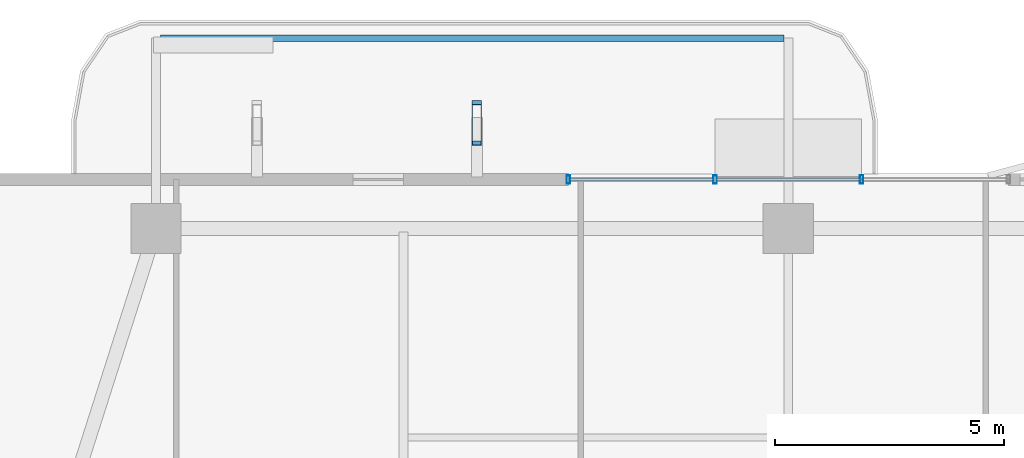
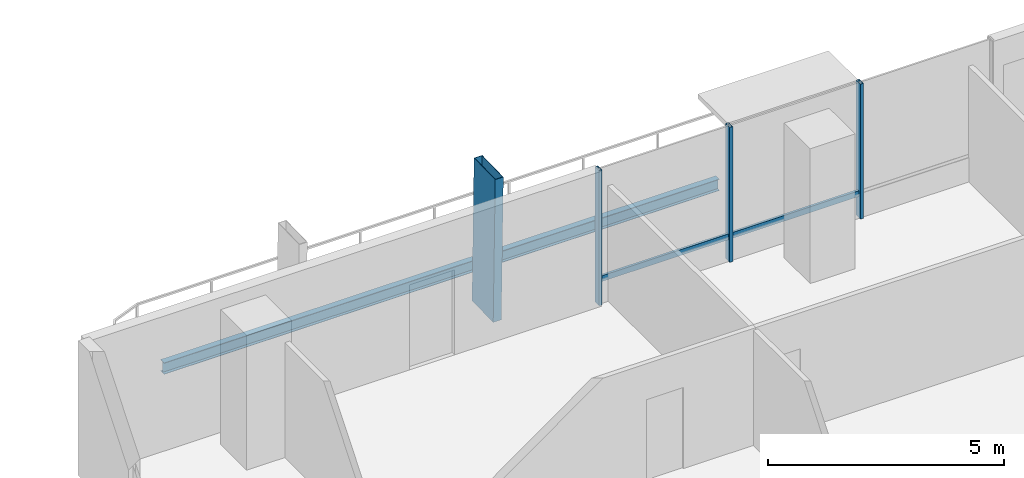
# One storey, part 13 of 25: 6 members, 1 beam, 1 element without a shape of its own.
"""IFC4 building model written with IfcOpenShell, lengths in metres."""

from ifc_helpers import new_model, si_unit, direction, frame, origin, origin_2d, place, context, subcontext, project, spatial, hollow_rectangle, i_section, extrude, material, layer, layer_set, material_profile, profile_set, type_object, element, aggregate, save


model = new_model("IFC4")

# Units and contexts
model_context = context("Model", 3, precision=1e-05, world=origin(), true_north=direction((0.0, 1.0)))
body_context = subcontext(model_context, "Body", "Model", "MODEL_VIEW")
ifc_project = project(units=[si_unit("LENGTHUNIT", "METRE"), si_unit("AREAUNIT", "SQUARE_METRE"), si_unit("VOLUMEUNIT", "CUBIC_METRE"), si_unit("PLANEANGLEUNIT", "RADIAN"), si_unit("MASSUNIT", "GRAM", prefix="KILO")], contexts=[model_context])

# Site, building, storey
site_placement = place(None, origin())
site = spatial("IfcSite", under=ifc_project, at=site_placement, CompositionType="ELEMENT")
building_placement = place(site_placement, origin())
building = spatial("IfcBuilding", under=site, at=building_placement, Name="Belovzor Exchange Tower", CompositionType="ELEMENT")
storey_placement = place(building_placement, frame((0.0, 0.0, 164.550048828125)))
storey = spatial("IfcBuildingStorey", under=building, at=storey_placement, Name="L40", CompositionType="ELEMENT", Elevation=164.550048828125)

# Beam
ifc_material_1 = material(Name="Steel S355", Category="steel")
ifc_material_profile_1 = material_profile(ifc_material_1, i_section(OverallWidth=0.14990234375, OverallDepth=0.300048828125, WebThickness=0.007080078125, FlangeThickness=0.0107421875, at=origin_2d()))
ifc_profile_set_1 = profile_set([ifc_material_profile_1], Name="Steel S355")
beam_type = type_object("IfcBeamType", Name="Planted Balcony Fascia Edge Beam IPE 300", PredefinedType="BEAM", material=ifc_profile_set_1)
beam_placement = place(storey_placement, frame((28.699951171875, 56.052978515625, -0.405029296875), z_axis=(-1.0, 0.0, 0.0), x_axis=(0.0, -1.0, 0.0)))
element("IfcBeam", 1, at=beam_placement, inside=storey, type_object=beam_type, Name="BC-300 Planted Balcony Fascia Edge Beam IPE 300", PredefinedType="BEAM", context=body_context, shape_type="SweptSolid", body=[
    extrude(i_section(OverallWidth=0.14990234375, OverallDepth=0.300048828125, WebThickness=0.007080078125, FlangeThickness=0.0107421875, at=origin_2d()), origin(), (0.0, 0.0, 1.0), 13.599853515625),
])

# Member
ifc_material_2 = material(Name="Extruded Architectural Terracotta on Steel S355 Carrier", Category="masonry")
ifc_material_profile_2 = material_profile(ifc_material_2, hollow_rectangle(XDim=0.199951171875, YDim=0.89990234375, WallThickness=0.011962890625, at=origin_2d()))
ifc_profile_set_2 = profile_set([ifc_material_profile_2], Name="Extruded Architectural Terracotta on Steel S355 Carrier")
member_type_1 = type_object("IfcMemberType", Name="Sweeping Terracotta Baguette Fin Assembly 1250", PredefinedType="USERDEFINED", material=ifc_profile_set_2)
member_1_placement = place(storey_placement, frame((22.0, 54.2470703125, -0.255126953125), z_axis=(0.0, -0.023235912336, 0.999730009742), x_axis=(1.0, 0.0, 0.0)))
element("IfcMember", 2, at=member_1_placement, inside=storey, type_object=member_type_1, Name="FIN-TC125 Terracotta Facade Fin L40 N2", ObjectType="FIN", PredefinedType="USERDEFINED", context=body_context, shape_type="SweptSolid", body=[
    extrude(hollow_rectangle(XDim=0.199951171875, YDim=0.89990234375, WallThickness=0.011962890625, at=origin_2d()), origin(), (0.0, 0.0, 1.0), 3.7509765625),
])

# Curtain wall, members
ifc_material_3 = material(Name="Anodised Aluminium Framing", Category="aluminium")
ifc_layer = layer(ifc_material_3, 0.179931640625)
ifc_layer_set = layer_set([ifc_layer], Name="Anodised Aluminium Framing")
curtain_wall_type = type_object("IfcCurtainWallType", Name="Recessed Loggia Low-Iron Triple-Glazed Curtain Wall", PredefinedType="NOTDEFINED", material=ifc_layer_set)
curtain_wall_placement = place(storey_placement, origin())
curtain_wall = element("IfcCurtainWall", 3, at=curtain_wall_placement, inside=storey, type_object=curtain_wall_type, Name="CW3 Recessed Loggia Low-Iron Triple-Glazed Curtain Wall L40", PredefinedType="NOTDEFINED")
ifc_material_4 = material(Name="Steel S355", Category="steel")
ifc_material_profile_3 = material_profile(ifc_material_4, hollow_rectangle(XDim=0.074951171875, YDim=0.179931640625, WallThickness=0.0048828125, at=origin_2d()))
ifc_profile_set_3 = profile_set([ifc_material_profile_3], Name="Steel S355")
member_type_2 = type_object("IfcMemberType", Name="Thermally Broken Curtain Wall Mullion 180x75", PredefinedType="MULLION", material=ifc_profile_set_3)
member_2_placement = place(storey_placement, frame((24.0, 52.969970703125, 0.0), z_axis=(0.0, 0.0, 1.0), x_axis=(1.0, 0.0, 0.0)))
member_2 = element("IfcMember", 4, at=member_2_placement, type_object=member_type_2, Name="CW-M180 Curtain Wall Mullion 1", PredefinedType="MULLION", context=body_context, shape_type="SweptSolid", body=[
    extrude(hollow_rectangle(XDim=0.074951171875, YDim=0.179931640625, WallThickness=0.0048828125, at=origin_2d()), origin(), (0.0, 0.0, 1.0), 3.494873046875),
])
member_3_placement = place(storey_placement, frame((27.199951171875, 52.969970703125, 0.0), z_axis=(0.0, 0.0, 1.0), x_axis=(1.0, 0.0, 0.0)))
member_3 = element("IfcMember", 5, at=member_3_placement, type_object=member_type_2, Name="CW-M180 Curtain Wall Mullion 2", PredefinedType="MULLION", context=body_context, shape_type="SweptSolid", body=[
    extrude(hollow_rectangle(XDim=0.074951171875, YDim=0.179931640625, WallThickness=0.0048828125, at=origin_2d()), origin(), (0.0, 0.0, 1.0), 3.494873046875),
])
member_4_placement = place(storey_placement, frame((30.39990234375, 52.969970703125, 0.0), z_axis=(0.0, 0.0, 1.0), x_axis=(1.0, 0.0, 0.0)))
member_4 = element("IfcMember", 6, at=member_4_placement, type_object=member_type_2, Name="CW-M180 Curtain Wall Mullion 3", PredefinedType="MULLION", context=body_context, shape_type="SweptSolid", body=[
    extrude(hollow_rectangle(XDim=0.074951171875, YDim=0.179931640625, WallThickness=0.0048828125, at=origin_2d()), origin(), (0.0, 0.0, 1.0), 3.494873046875),
])
ifc_material_5 = material(Name="Steel S355", Category="steel")
ifc_material_profile_4 = material_profile(ifc_material_5, hollow_rectangle(XDim=0.06005859375, YDim=0.14990234375, WallThickness=0.00390625, at=origin_2d()))
ifc_profile_set_4 = profile_set([ifc_material_profile_4], Name="Steel S355")
member_type_3 = type_object("IfcMemberType", Name="Thermally Broken Curtain Wall Transom 150x60", PredefinedType="USERDEFINED", material=ifc_profile_set_4)
member_5_placement = place(storey_placement, frame((24.008056640625, 52.969970703125, 0.62890625), z_axis=(1.0, 0.0, 0.0), x_axis=(0.0, 1.0, 0.0)))
member_5 = element("IfcMember", 7, at=member_5_placement, type_object=member_type_3, Name="CW-T150 Curtain Wall Transom 1", ObjectType="TRANSOM", PredefinedType="USERDEFINED", context=body_context, shape_type="SweptSolid", body=[
    extrude(hollow_rectangle(XDim=0.06005859375, YDim=0.14990234375, WallThickness=0.00390625, at=origin_2d()), origin(), (0.0, 0.0, 1.0), 3.183837890625),
])
member_6_placement = place(storey_placement, frame((27.2080078125, 52.969970703125, 0.62890625), z_axis=(1.0, 0.0, 0.0), x_axis=(0.0, 1.0, 0.0)))
member_6 = element("IfcMember", 8, at=member_6_placement, type_object=member_type_3, Name="CW-T150 Curtain Wall Transom 2", ObjectType="TRANSOM", PredefinedType="USERDEFINED", context=body_context, shape_type="SweptSolid", body=[
    extrude(hollow_rectangle(XDim=0.06005859375, YDim=0.14990234375, WallThickness=0.00390625, at=origin_2d()), origin(), (0.0, 0.0, 1.0), 3.18408203125),
])
aggregate(curtain_wall, [member_2, member_3, member_4, member_5, member_6])

save(model, "model.ifc")
